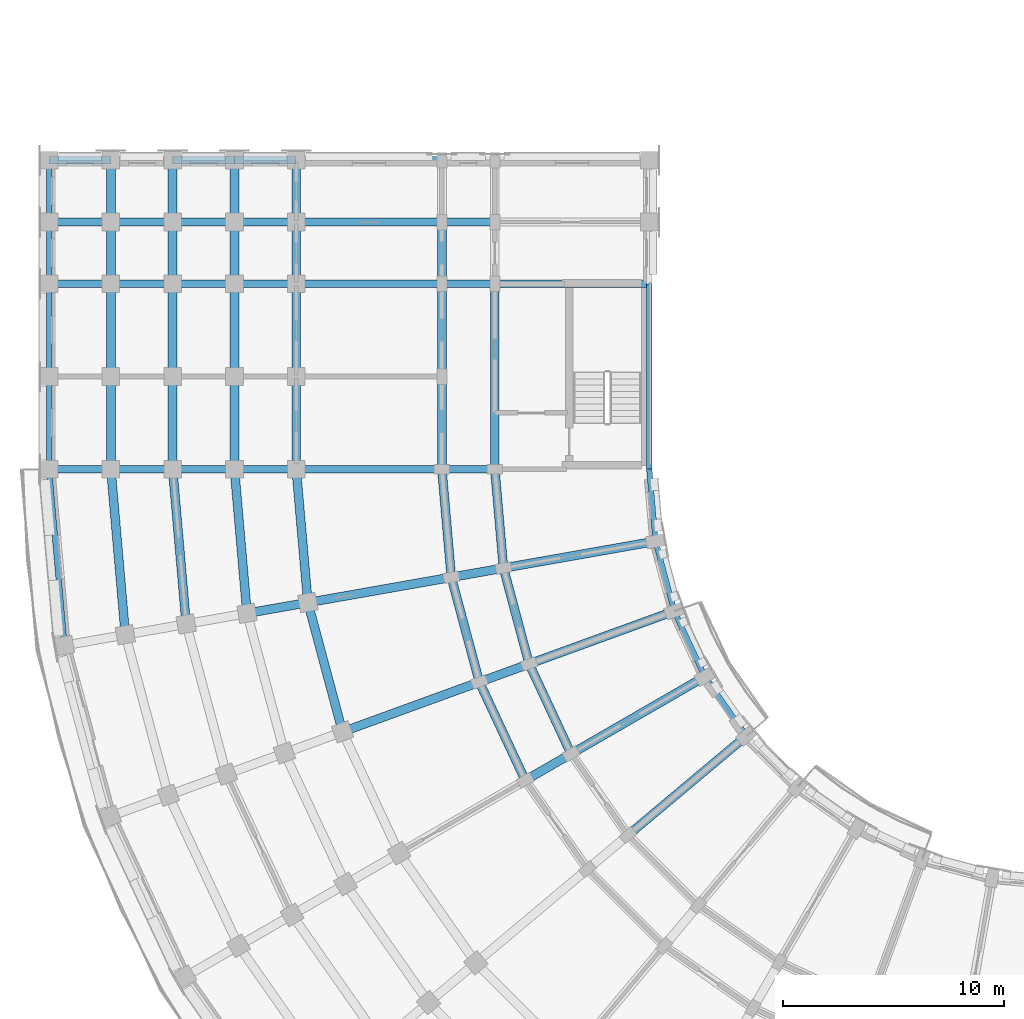
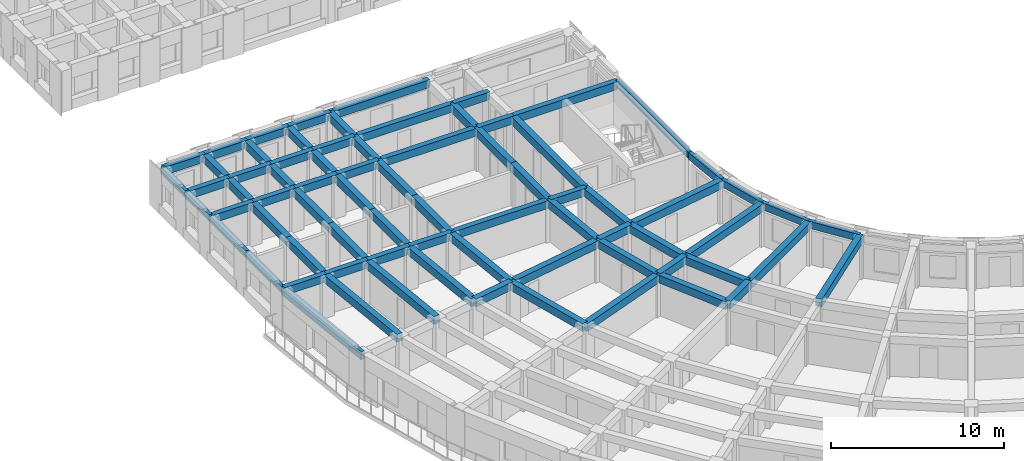
# One storey, part 5 of 54: 75 beams.
"""IFC4 building model written with IfcOpenShell, lengths in metres."""

import ifcopenshell
import ifcopenshell.guid

model = None  # the IFC model being written
_history = None  # IfcOwnerHistory: only IFC2X3 demands one
_inside = {}  # id of a spatial element -> (the spatial element, [elements in it])
_under = {}  # id of a project, library or spatial element -> (it, [spatial elements below it])
_declared = {}  # id of a project -> (the project, [libraries it declares])
_typed = {}  # id of a type object -> (the type object, [elements of that type])
_made_of = {}  # id of a material, layer set ... -> (it, [elements and type objects made of it])


def new_model(schema):
    """Start an empty IFC model of exactly this schema.

    Asked for "IFC4X3", IfcOpenShell would pick the latest addendum, in which some entities
    have other attributes; the version numbers below select the first issue.
    IFC2X3 requires an IfcOwnerHistory on every rooted entity: one is made here for all.
    """
    global model, _history
    if schema == "IFC4X3":
        model = ifcopenshell.file(schema_version=(4, 3, 0, 0))
    else:
        model = ifcopenshell.file(schema=schema)
    _inside.clear()
    _under.clear()
    _declared.clear()
    _typed.clear()
    _made_of.clear()
    _history = None
    if model.schema == "IFC2X3":
        org = make("IfcOrganization", Name="unknown")
        user = make(
            "IfcPersonAndOrganization",
            ThePerson=make("IfcPerson", FamilyName="unknown"),
            TheOrganization=org,
        )
        app = make(
            "IfcApplication",
            ApplicationDeveloper=org,
            Version="unknown",
            ApplicationFullName="unknown",
            ApplicationIdentifier="unknown",
        )
        _history = make(
            "IfcOwnerHistory",
            OwningUser=user,
            OwningApplication=app,
            ChangeAction="ADDED",
            CreationDate=0,
        )
    return model


def make(cls, **values):
    """One entity of the class cls with the attributes given. An attribute that is None is left unset."""
    return model.create_entity(
        cls, **{name: value for name, value in values.items() if value is not None}
    )


def rooted(cls, **values):
    """An entity with a GlobalId (a new one), such as an element, a storey or a relation."""
    return make(cls, GlobalId=ifcopenshell.guid.new(), OwnerHistory=_history, **values)


def si_unit(unit_type, name, prefix=None):
    """IfcSIUnit, for example si_unit("LENGTHUNIT", "METRE", prefix="MILLI")."""
    return make("IfcSIUnit", UnitType=unit_type, Prefix=prefix, Name=name)


def assignment(units):
    """IfcUnitAssignment: the units of a project."""
    return None if units is None else make("IfcUnitAssignment", Units=units)


def point(xyz):
    """IfcCartesianPoint."""
    return None if xyz is None else make("IfcCartesianPoint", Coordinates=xyz)


def direction(xyz):
    """IfcDirection."""
    return None if xyz is None else make("IfcDirection", DirectionRatios=xyz)


def frame(location, z_axis=None, x_axis=None):
    """IfcAxis2Placement3D, a coordinate frame: its origin and axes. An axis left out is left unset."""
    return make(
        "IfcAxis2Placement3D",
        Location=point(location),
        Axis=direction(z_axis),
        RefDirection=direction(x_axis),
    )


def frame_2d(location, x_axis=None):
    """IfcAxis2Placement2D, a coordinate frame in the plane: its origin and x axis."""
    return make(
        "IfcAxis2Placement2D", Location=point(location), RefDirection=direction(x_axis)
    )


def origin():
    """The frame at (0, 0, 0) with its axes left unset."""
    return frame((0.0, 0.0, 0.0))


def origin_2d():
    """The frame at (0, 0) in the plane with its x axis left unset."""
    return frame_2d((0.0, 0.0))


def place(relative_to, where):
    """IfcLocalPlacement: puts the frame where relative to a parent placement (None: the world)."""
    return make(
        "IfcLocalPlacement", PlacementRelTo=relative_to, RelativePlacement=where
    )


def context(
    kind, dimensions, precision=None, world=None, true_north=None, identifier=None
):
    """IfcGeometricRepresentationContext, for example the 3D "Model" context."""
    return make(
        "IfcGeometricRepresentationContext",
        ContextIdentifier=identifier,
        ContextType=kind,
        CoordinateSpaceDimension=dimensions,
        Precision=precision,
        WorldCoordinateSystem=world,
        TrueNorth=true_north,
    )


def subcontext(parent, identifier, kind, view, scale=None):
    """IfcGeometricRepresentationSubContext, for example "Body" below "Model"."""
    return make(
        "IfcGeometricRepresentationSubContext",
        ContextIdentifier=identifier,
        ContextType=kind,
        ParentContext=parent,
        TargetScale=scale,
        TargetView=view,
    )


def project(units=None, contexts=None):
    """IfcProject with its units and contexts."""
    return rooted(
        "IfcProject",
        Name="project",
        RepresentationContexts=contexts,
        UnitsInContext=assignment(units),
    )


def spatial(cls, under=None, at=None, **own):
    """A site, building, storey or space (cls), placed at a placement, below another one or the project."""
    s = rooted(cls, ObjectPlacement=at, **own)
    if under is not None:
        _under.setdefault(under.id(), (under, []))[1].append(s)
    return s


def profile(cls, at=None, kind="AREA", **sizes):
    """A parametric profile (cls). Its sizes go by their IFC names, for example OverallWidth=200.0."""
    return make(cls, ProfileType=kind, Position=at, **sizes)


def rectangle(**sizes):
    """IfcRectangleProfileDef."""
    return profile("IfcRectangleProfileDef", **sizes)


def extrude(swept, where, along, depth):
    """IfcExtrudedAreaSolid: the profile swept, set in the frame where, extruded along a direction by depth."""
    return make(
        "IfcExtrudedAreaSolid",
        SweptArea=swept,
        Position=where,
        ExtrudedDirection=direction(along),
        Depth=depth,
    )


def shape(context_of_items, identifier, shape_type, items):
    """IfcShapeRepresentation: the items that make up one representation, for example the "Body"."""
    return make(
        "IfcShapeRepresentation",
        ContextOfItems=context_of_items,
        RepresentationIdentifier=identifier,
        RepresentationType=shape_type,
        Items=items,
    )


def material(Name=None, Category=None):
    """IfcMaterial."""
    return make("IfcMaterial", Name=Name, Category=Category)


def material_profile(
    of_material, cross_section, Name=None, Category=None, Priority=None
):
    """IfcMaterialProfile: a cross section and its material."""
    return make(
        "IfcMaterialProfile",
        Name=Name,
        Material=of_material,
        Profile=cross_section,
        Priority=Priority,
        Category=Category,
    )


def profile_set(profiles, Name=None, composite=None):
    """IfcMaterialProfileSet."""
    return make(
        "IfcMaterialProfileSet",
        Name=Name,
        MaterialProfiles=profiles,
        CompositeProfile=composite,
    )


def made_of(thing, what):
    """Note that an element or type object is made of a material, layer set ...; save() writes the relation."""
    if what is not None:
        _made_of.setdefault(what.id(), (what, []))[1].append(thing)
    return thing


def type_object(cls, material=None, **own):
    """A type object (cls), such as IfcWallType, which elements share."""
    return made_of(rooted(cls, **own), material)


def element(
    cls,
    number,
    at=None,
    inside=None,
    cuts=None,
    type_object=None,
    material=None,
    context=None,
    identifier="Body",
    shape_type=None,
    held_by="IfcProductDefinitionShape",
    body=None,
    shapes=None,
    **own,
):
    """One element of the class cls, such as IfcWall. Its Tag is "e" and its number.

    at: its placement. inside: the storey or other place that contains it. cuts: it is an
    opening in that element (IfcRelVoidsElement). A single representation is given by context,
    identifier, shape_type and body (its items); several are given by shapes. held_by: the class
    of the entity that holds the representations. save() writes the other relations.
    """
    e = rooted(cls, Tag="e%d" % number, ObjectPlacement=at, **own)
    if body is not None:
        shapes = [shape(context, identifier, shape_type, body)]
    if shapes is not None:
        e.Representation = make(held_by, Representations=shapes)
    if inside is not None:
        _inside.setdefault(inside.id(), (inside, []))[1].append(e)
    if cuts is not None:
        rooted(
            "IfcRelVoidsElement", RelatingBuildingElement=cuts, RelatedOpeningElement=e
        )
    if type_object is not None:
        _typed.setdefault(type_object.id(), (type_object, []))[1].append(e)
    return made_of(e, material)


def aggregate(whole, parts):
    """IfcRelAggregates: a whole, such as a stair, and the parts it consists of."""
    return rooted("IfcRelAggregates", RelatingObject=whole, RelatedObjects=parts)


def save(model, path):
    """Write the relations noted so far, then the file.

    IfcRelAggregates (storeys below a building ...), IfcRelContainedInSpatialStructure (elements
    in a storey), IfcRelDefinesByType, IfcRelAssociatesMaterial and IfcRelDeclares: one each for
    every whole, place, type object, material and project.
    """
    for whole, parts in _under.values():
        aggregate(whole, parts)
    for where, things in _inside.values():
        rooted(
            "IfcRelContainedInSpatialStructure",
            RelatedElements=things,
            RelatingStructure=where,
        )
    for kind, things in _typed.values():
        rooted("IfcRelDefinesByType", RelatedObjects=things, RelatingType=kind)
    for what, things in _made_of.values():
        rooted("IfcRelAssociatesMaterial", RelatedObjects=things, RelatingMaterial=what)
    for by, libraries in _declared.values():
        rooted("IfcRelDeclares", RelatingContext=by, RelatedDefinitions=libraries)
    model.write(path)


model = new_model("IFC4")

# Units and contexts
model_context = context("Model", 3, precision=1e-05, world=origin(), true_north=direction((0.0, 1.0)))
body_context = subcontext(model_context, "Body", "Model", "MODEL_VIEW")
ifc_project = project(units=[si_unit("LENGTHUNIT", "METRE"), si_unit("AREAUNIT", "SQUARE_METRE"), si_unit("VOLUMEUNIT", "CUBIC_METRE"), si_unit("PLANEANGLEUNIT", "RADIAN"), si_unit("MASSUNIT", "GRAM", prefix="KILO")], contexts=[model_context])

# Site, building, storey
site_placement = place(None, origin())
site = spatial("IfcSite", under=ifc_project, at=site_placement, CompositionType="ELEMENT")
building_placement = place(site_placement, origin())
building = spatial("IfcBuilding", under=site, at=building_placement, Name="Kiranvali Square Residences", CompositionType="ELEMENT")
storey_placement = place(building_placement, frame((0.0, 0.0, 11.85009765625)))
storey = spatial("IfcBuildingStorey", under=building, at=storey_placement, Name="L03", CompositionType="ELEMENT", Elevation=11.85009765625)

# Beams
ifc_material_1 = material(Name="Concrete M40 (40 MPa)", Category="concrete")
ifc_material_profile_1 = material_profile(ifc_material_1, rectangle(XDim=0.35009765625, YDim=0.550048828125, at=origin_2d()), Name="RC 350x550")
ifc_profile_set_1 = profile_set([ifc_material_profile_1], Name="Concrete M40 (40 MPa)")
beam_type_1 = type_object("IfcBeamType", Name="BM-M40-350x550", PredefinedType="BEAM", material=ifc_profile_set_1)
beam_1_placement = place(storey_placement, frame((22.39990234375, 48.199951171875, 2.65478515625), z_axis=(-1.0, 0.0, 0.0), x_axis=(0.0, -1.0, 0.0)))
element("IfcBeam", 1, at=beam_1_placement, inside=storey, type_object=beam_type_1, Name="L03 beam BM-C-L03-A2T0-12", PredefinedType="BEAM", context=body_context, shape_type="SweptSolid", body=[
    extrude(rectangle(XDim=0.35009765625, YDim=0.550048828125, at=origin_2d()), origin(), (0.0, 0.0, 1.0), 2.39990234375),
])
beam_2_placement = place(storey_placement, frame((20.0, 48.199951171875, 2.65478515625), z_axis=(-1.0, 0.0, 0.0), x_axis=(0.0, -1.0, 0.0)))
element("IfcBeam", 2, at=beam_2_placement, inside=storey, type_object=beam_type_1, Name="L03 beam BM-C-L03-A2T0-23", PredefinedType="BEAM", context=body_context, shape_type="SweptSolid", body=[
    extrude(rectangle(XDim=0.35009765625, YDim=0.550048828125, at=origin_2d()), origin(), (0.0, 0.0, 1.0), 6.60009765625),
])
beam_3_placement = place(storey_placement, frame((13.39990234375, 48.199951171875, 2.65478515625), z_axis=(-1.0, 0.0, 0.0), x_axis=(0.0, -1.0, 0.0)))
element("IfcBeam", 3, at=beam_3_placement, inside=storey, type_object=beam_type_1, Name="L03 beam BM-C-L03-A2T0-34", PredefinedType="BEAM", context=body_context, shape_type="SweptSolid", body=[
    extrude(rectangle(XDim=0.35009765625, YDim=0.550048828125, at=origin_2d()), origin(), (0.0, 0.0, 1.0), 2.7998046875),
])
for number, where, z_axis, x_axis, name in (
    (4, (10.60009765625, 48.199951171875, 2.65478515625), (-1.0, 0.0, 0.0), (0.0, -1.0, 0.0), "L03 beam BM-C-L03-A2T0-45"),
    (5, (7.800048828125, 48.199951171875, 2.65478515625), (-1.0, 0.0, 0.0), (0.0, -1.0, 0.0), "L03 beam BM-C-L03-A2T0-56"),
    (6, (5.0, 48.199951171875, 2.65478515625), (-1.0, 0.0, 0.0), (0.0, -1.0, 0.0), "L03 beam BM-C-L03-A2T0-67"),
):
    element("IfcBeam", number, at=place(storey_placement, frame(where, z_axis=z_axis, x_axis=x_axis)), inside=storey, type_object=beam_type_1, Name=name, PredefinedType="BEAM", context=body_context, shape_type="SweptSolid", body=[
        extrude(rectangle(XDim=0.35009765625, YDim=0.550048828125, at=origin_2d()), origin(), (0.0, 0.0, 1.0), 2.800048828125),
    ])
beam_4_placement = place(storey_placement, frame((29.39990234375, 56.60009765625, 2.65478515625), z_axis=(-1.0, 0.0, 0.0), x_axis=(0.0, -1.0, 0.0)))
element("IfcBeam", 7, at=beam_4_placement, inside=storey, type_object=beam_type_1, Name="L03 beam BM-C-L03-A2T1-01", PredefinedType="BEAM", context=body_context, shape_type="SweptSolid", body=[
    extrude(rectangle(XDim=0.35009765625, YDim=0.550048828125, at=origin_2d()), origin(), (0.0, 0.0, 1.0), 7.0),
])
beam_5_placement = place(storey_placement, frame((22.39990234375, 56.60009765625, 2.65478515625), z_axis=(-1.0, 0.0, 0.0), x_axis=(0.0, -1.0, 0.0)))
element("IfcBeam", 8, at=beam_5_placement, inside=storey, type_object=beam_type_1, Name="L03 beam BM-C-L03-A2T1-12", PredefinedType="BEAM", context=body_context, shape_type="SweptSolid", body=[
    extrude(rectangle(XDim=0.35009765625, YDim=0.550048828125, at=origin_2d()), origin(), (0.0, 0.0, 1.0), 2.39990234375),
])
beam_6_placement = place(storey_placement, frame((20.0, 56.60009765625, 2.65478515625), z_axis=(-1.0, 0.0, 0.0), x_axis=(0.0, -1.0, 0.0)))
element("IfcBeam", 9, at=beam_6_placement, inside=storey, type_object=beam_type_1, Name="L03 beam BM-C-L03-A2T1-23", PredefinedType="BEAM", context=body_context, shape_type="SweptSolid", body=[
    extrude(rectangle(XDim=0.35009765625, YDim=0.550048828125, at=origin_2d()), origin(), (0.0, 0.0, 1.0), 6.60009765625),
])
beam_7_placement = place(storey_placement, frame((13.39990234375, 56.60009765625, 2.65478515625), z_axis=(-1.0, 0.0, 0.0), x_axis=(0.0, -1.0, 0.0)))
element("IfcBeam", 10, at=beam_7_placement, inside=storey, type_object=beam_type_1, Name="L03 beam BM-C-L03-A2T1-34", PredefinedType="BEAM", context=body_context, shape_type="SweptSolid", body=[
    extrude(rectangle(XDim=0.35009765625, YDim=0.550048828125, at=origin_2d()), origin(), (0.0, 0.0, 1.0), 2.7998046875),
])
for number, where, z_axis, x_axis, name in (
    (11, (10.60009765625, 56.60009765625, 2.65478515625), (-1.0, 0.0, 0.0), (0.0, -1.0, 0.0), "L03 beam BM-C-L03-A2T1-45"),
    (12, (7.800048828125, 56.60009765625, 2.65478515625), (-1.0, 0.0, 0.0), (0.0, -1.0, 0.0), "L03 beam BM-C-L03-A2T1-56"),
    (13, (5.0, 56.60009765625, 2.65478515625), (-1.0, 0.0, 0.0), (0.0, -1.0, 0.0), "L03 beam BM-C-L03-A2T1-67"),
):
    element("IfcBeam", number, at=place(storey_placement, frame(where, z_axis=z_axis, x_axis=x_axis)), inside=storey, type_object=beam_type_1, Name=name, PredefinedType="BEAM", context=body_context, shape_type="SweptSolid", body=[
        extrude(rectangle(XDim=0.35009765625, YDim=0.550048828125, at=origin_2d()), origin(), (0.0, 0.0, 1.0), 2.800048828125),
    ])
beam_8_placement = place(storey_placement, frame((22.39990234375, 59.39990234375, 2.65478515625), z_axis=(-1.0, 0.0, 0.0), x_axis=(0.0, -1.0, 0.0)))
element("IfcBeam", 14, at=beam_8_placement, inside=storey, type_object=beam_type_1, Name="L03 beam BM-C-L03-A2T2-12", PredefinedType="BEAM", context=body_context, shape_type="SweptSolid", body=[
    extrude(rectangle(XDim=0.35009765625, YDim=0.550048828125, at=origin_2d()), origin(), (0.0, 0.0, 1.0), 2.39990234375),
])
beam_9_placement = place(storey_placement, frame((20.0, 59.39990234375, 2.65478515625), z_axis=(-1.0, 0.0, 0.0), x_axis=(0.0, -1.0, 0.0)))
element("IfcBeam", 15, at=beam_9_placement, inside=storey, type_object=beam_type_1, Name="L03 beam BM-C-L03-A2T2-23", PredefinedType="BEAM", context=body_context, shape_type="SweptSolid", body=[
    extrude(rectangle(XDim=0.35009765625, YDim=0.550048828125, at=origin_2d()), origin(), (0.0, 0.0, 1.0), 6.60009765625),
])
beam_10_placement = place(storey_placement, frame((13.39990234375, 59.39990234375, 2.65478515625), z_axis=(-1.0, 0.0, 0.0), x_axis=(0.0, -1.0, 0.0)))
element("IfcBeam", 16, at=beam_10_placement, inside=storey, type_object=beam_type_1, Name="L03 beam BM-C-L03-A2T2-34", PredefinedType="BEAM", context=body_context, shape_type="SweptSolid", body=[
    extrude(rectangle(XDim=0.35009765625, YDim=0.550048828125, at=origin_2d()), origin(), (0.0, 0.0, 1.0), 2.7998046875),
])
for number, where, z_axis, x_axis, name in (
    (17, (10.60009765625, 59.39990234375, 2.65478515625), (-1.0, 0.0, 0.0), (0.0, -1.0, 0.0), "L03 beam BM-C-L03-A2T2-45"),
    (18, (7.800048828125, 59.39990234375, 2.65478515625), (-1.0, 0.0, 0.0), (0.0, -1.0, 0.0), "L03 beam BM-C-L03-A2T2-56"),
    (19, (5.0, 59.39990234375, 2.65478515625), (-1.0, 0.0, 0.0), (0.0, -1.0, 0.0), "L03 beam BM-C-L03-A2T2-67"),
):
    element("IfcBeam", number, at=place(storey_placement, frame(where, z_axis=z_axis, x_axis=x_axis)), inside=storey, type_object=beam_type_1, Name=name, PredefinedType="BEAM", context=body_context, shape_type="SweptSolid", body=[
        extrude(rectangle(XDim=0.35009765625, YDim=0.550048828125, at=origin_2d()), origin(), (0.0, 0.0, 1.0), 2.800048828125),
    ])
beam_11_placement = place(storey_placement, frame((20.0, 62.199951171875, 2.65478515625), z_axis=(-1.0, 0.0, 0.0), x_axis=(0.0, -1.0, 0.0)))
element("IfcBeam", 20, at=beam_11_placement, inside=storey, type_object=beam_type_1, Name="L03 beam BM-C-L03-A2T3-23", PredefinedType="BEAM", context=body_context, shape_type="SweptSolid", body=[
    extrude(rectangle(XDim=0.35009765625, YDim=0.550048828125, at=origin_2d()), origin(), (0.0, 0.0, 1.0), 6.60009765625),
])
beam_12_placement = place(storey_placement, frame((13.39990234375, 62.199951171875, 2.65478515625), z_axis=(-1.0, 0.0, 0.0), x_axis=(0.0, -1.0, 0.0)))
element("IfcBeam", 21, at=beam_12_placement, inside=storey, type_object=beam_type_1, Name="L03 beam BM-C-L03-A2T3-34", PredefinedType="BEAM", context=body_context, shape_type="SweptSolid", body=[
    extrude(rectangle(XDim=0.35009765625, YDim=0.550048828125, at=origin_2d()), origin(), (0.0, 0.0, 1.0), 2.7998046875),
])
for number, where, z_axis, x_axis, name in (
    (22, (10.60009765625, 62.199951171875, 2.65478515625), (-1.0, 0.0, 0.0), (0.0, -1.0, 0.0), "L03 beam BM-C-L03-A2T3-45"),
    (23, (7.800048828125, 62.199951171875, 2.65478515625), (-1.0, 0.0, 0.0), (0.0, -1.0, 0.0), "L03 beam BM-C-L03-A2T3-56"),
    (24, (5.0, 62.199951171875, 2.65478515625), (-1.0, 0.0, 0.0), (0.0, -1.0, 0.0), "L03 beam BM-C-L03-A2T3-67"),
):
    element("IfcBeam", number, at=place(storey_placement, frame(where, z_axis=z_axis, x_axis=x_axis)), inside=storey, type_object=beam_type_1, Name=name, PredefinedType="BEAM", context=body_context, shape_type="SweptSolid", body=[
        extrude(rectangle(XDim=0.35009765625, YDim=0.550048828125, at=origin_2d()), origin(), (0.0, 0.0, 1.0), 2.800048828125),
    ])
ifc_material_2 = material(Name="Concrete M45 (45 MPa)", Category="concrete")
ifc_material_profile_2 = material_profile(ifc_material_2, rectangle(XDim=0.39990234375, YDim=0.550048828125, at=origin_2d()), Name="RC 400x550")
ifc_profile_set_2 = profile_set([ifc_material_profile_2], Name="Concrete M45 (45 MPa)")
beam_type_2 = type_object("IfcBeamType", Name="BM-M45-400x550", PredefinedType="BEAM", material=ifc_profile_set_2)
beam_13_placement = place(storey_placement, frame((25.8564453125, 35.300048828125, 2.65478515625), z_axis=(-0.422617978463, 0.906307919131, 0.0), x_axis=(-0.906307919131, -0.422617978463, 0.0)))
element("IfcBeam", 25, at=beam_13_placement, inside=storey, type_object=beam_type_2, Name="L03 beam BM-C-L03-C06-R1", PredefinedType="BEAM", context=body_context, shape_type="SweptSolid", body=[
    extrude(rectangle(XDim=0.39990234375, YDim=0.550048828125, at=origin_2d()), origin(), (0.0, 0.0, 1.0), 4.497314453125),
])
beam_14_placement = place(storey_placement, frame((23.778076171875, 34.10009765625, 2.65478515625), z_axis=(-0.422629854778, 0.906302381024, 0.0), x_axis=(-0.906302381024, -0.422629854778, 0.0)))
element("IfcBeam", 26, at=beam_14_placement, inside=storey, type_object=beam_type_2, Name="L03 beam BM-C-L03-C06-R2", PredefinedType="BEAM", context=body_context, shape_type="SweptSolid", body=[
    extrude(rectangle(XDim=0.39990234375, YDim=0.550048828125, at=origin_2d()), origin(), (0.0, 0.0, 1.0), 4.915283203125),
])
beam_15_placement = place(storey_placement, frame((23.955810546875, 39.3759765625, 2.65478515625), z_axis=(-0.258787642463, 0.965934240054, 0.0), x_axis=(-0.965934240054, -0.258787642463, 0.0)))
element("IfcBeam", 27, at=beam_15_placement, inside=storey, type_object=beam_type_2, Name="L03 beam BM-C-L03-C07-R1", PredefinedType="BEAM", context=body_context, shape_type="SweptSolid", body=[
    extrude(rectangle(XDim=0.39990234375, YDim=0.550048828125, at=origin_2d()), origin(), (0.0, 0.0, 1.0), 4.497314453125),
])
beam_16_placement = place(storey_placement, frame((21.70068359375, 38.554931640625, 2.65478515625), z_axis=(-0.258803112091, 0.965930095386, 0.0), x_axis=(-0.965930095386, -0.258803112091, 0.0)))
element("IfcBeam", 28, at=beam_16_placement, inside=storey, type_object=beam_type_2, Name="L03 beam BM-C-L03-C07-R2", PredefinedType="BEAM", context=body_context, shape_type="SweptSolid", body=[
    extrude(rectangle(XDim=0.39990234375, YDim=0.550048828125, at=origin_2d()), origin(), (0.0, 0.0, 1.0), 4.915771484375),
])
beam_17_placement = place(storey_placement, frame((15.498779296875, 36.297607421875, 2.65478515625), z_axis=(-0.258827283048, 0.965923618901, 0.0), x_axis=(-0.965923618901, -0.258827283048, 0.0)))
element("IfcBeam", 29, at=beam_17_placement, inside=storey, type_object=beam_type_2, Name="L03 beam BM-C-L03-C07-R3", PredefinedType="BEAM", context=body_context, shape_type="SweptSolid", body=[
    extrude(rectangle(XDim=0.39990234375, YDim=0.550048828125, at=origin_2d()), origin(), (0.0, 0.0, 1.0), 6.066162109375),
])
beam_18_placement = place(storey_placement, frame((22.7919921875, 43.719970703125, 2.65478515625), z_axis=(-0.087187153726, 0.996191949488, 0.0), x_axis=(-0.996191949488, -0.087187153726, 0.0)))
element("IfcBeam", 30, at=beam_18_placement, inside=storey, type_object=beam_type_2, Name="L03 beam BM-C-L03-C08-R1", PredefinedType="BEAM", context=body_context, shape_type="SweptSolid", body=[
    extrude(rectangle(XDim=0.39990234375, YDim=0.550048828125, at=origin_2d()), origin(), (0.0, 0.0, 1.0), 4.4970703125),
])
beam_19_placement = place(storey_placement, frame((20.428466796875, 43.30322265625, 2.65478515625), z_axis=(-0.087167566415, 0.996193663584, 0.0), x_axis=(-0.996193663584, -0.087167566415, 0.0)))
element("IfcBeam", 31, at=beam_19_placement, inside=storey, type_object=beam_type_2, Name="L03 beam BM-C-L03-C08-R2", PredefinedType="BEAM", context=body_context, shape_type="SweptSolid", body=[
    extrude(rectangle(XDim=0.39990234375, YDim=0.550048828125, at=origin_2d()), origin(), (0.0, 0.0, 1.0), 4.91552734375),
])
beam_20_placement = place(storey_placement, frame((13.9287109375, 42.156982421875, 2.65478515625), z_axis=(-0.087174938512, 0.996193018494, 0.0), x_axis=(-0.996193018494, -0.087174938512, 0.0)))
element("IfcBeam", 32, at=beam_20_placement, inside=storey, type_object=beam_type_2, Name="L03 beam BM-C-L03-C08-R3", PredefinedType="BEAM", context=body_context, shape_type="SweptSolid", body=[
    extrude(rectangle(XDim=0.39990234375, YDim=0.550048828125, at=origin_2d()), origin(), (0.0, 0.0, 1.0), 6.066162109375),
])
beam_21_placement = place(storey_placement, frame((11.171142578125, 41.6708984375, 2.65478515625), z_axis=(-0.0871295204, 0.996196991902, 0.0), x_axis=(-0.996196991902, -0.0871295204, 0.0)))
element("IfcBeam", 33, at=beam_21_placement, inside=storey, type_object=beam_type_2, Name="L03 beam BM-C-L03-C08-R4", PredefinedType="BEAM", context=body_context, shape_type="SweptSolid", body=[
    extrude(rectangle(XDim=0.39990234375, YDim=0.550048828125, at=origin_2d()), origin(), (0.0, 0.0, 1.0), 6.553955078125),
])
beam_22_placement = place(storey_placement, frame((8.413818359375, 41.1845703125, 2.65478515625), z_axis=(-0.087156198737, 0.996194658198, 0.0), x_axis=(-0.996194658198, -0.087156198737, 0.0)))
element("IfcBeam", 34, at=beam_22_placement, inside=storey, type_object=beam_type_2, Name="L03 beam BM-C-L03-C08-R5", PredefinedType="BEAM", context=body_context, shape_type="SweptSolid", body=[
    extrude(rectangle(XDim=0.39990234375, YDim=0.550048828125, at=origin_2d()), origin(), (0.0, 0.0, 1.0), 7.042236328125),
])
beam_23_placement = place(storey_placement, frame((5.65625, 40.698486328125, 2.65478515625), z_axis=(-0.087150058103, 0.996195195417, 0.0), x_axis=(-0.996195195417, -0.087150058103, 0.0)))
element("IfcBeam", 35, at=beam_23_placement, inside=storey, type_object=beam_type_2, Name="L03 beam BM-C-L03-C08-R6", PredefinedType="BEAM", context=body_context, shape_type="SweptSolid", body=[
    extrude(rectangle(XDim=0.39990234375, YDim=0.550048828125, at=origin_2d()), origin(), (0.0, 0.0, 1.0), 7.530029296875),
])
for number, where, z_axis, x_axis, name in (
    (36, (33.79833984375, 36.115478515625, 2.65478515625), (-0.766044173478, -0.642787931032, 0.0), (0.642787931032, -0.766044173478, 0.0), "L03 beam BM-C-L03-RAD05-01"),
    (37, (31.918701171875, 38.800048828125, 2.65478515625), (-0.866028190633, -0.499995173006, 0.0), (0.499995173006, -0.866028190633, 0.0), "L03 beam BM-C-L03-RAD06-01"),
):
    element("IfcBeam", number, at=place(storey_placement, frame(where, z_axis=z_axis, x_axis=x_axis)), inside=storey, type_object=beam_type_2, Name=name, PredefinedType="BEAM", context=body_context, shape_type="SweptSolid", body=[
        extrude(rectangle(XDim=0.39990234375, YDim=0.550048828125, at=origin_2d()), origin(), (0.0, 0.0, 1.0), 7.0),
    ])
beam_24_placement = place(storey_placement, frame((25.8564453125, 35.300048828125, 2.65478515625), z_axis=(-0.866024647952, -0.500001309137, 0.0), x_axis=(0.500001309137, -0.866024647952, 0.0)))
element("IfcBeam", 38, at=beam_24_placement, inside=storey, type_object=beam_type_2, Name="L03 beam BM-C-L03-RAD06-12", PredefinedType="BEAM", context=body_context, shape_type="SweptSolid", body=[
    extrude(rectangle(XDim=0.39990234375, YDim=0.550048828125, at=origin_2d()), origin(), (0.0, 0.0, 1.0), 2.39990234375),
])
beam_25_placement = place(storey_placement, frame((30.53369140625, 41.77001953125, 2.65478515625), z_axis=(-0.939697665127, -0.342006283793, 0.0), x_axis=(0.342006283793, -0.939697665127, 0.0)))
element("IfcBeam", 39, at=beam_25_placement, inside=storey, type_object=beam_type_2, Name="L03 beam BM-C-L03-RAD07-01", PredefinedType="BEAM", context=body_context, shape_type="SweptSolid", body=[
    extrude(rectangle(XDim=0.39990234375, YDim=0.550048828125, at=origin_2d()), origin(), (0.0, 0.0, 1.0), 7.0),
])
beam_26_placement = place(storey_placement, frame((23.955810546875, 39.3759765625, 2.65478515625), z_axis=(-0.939659694648, -0.342110593602, 0.0), x_axis=(0.342110593602, -0.939659694648, 0.0)))
element("IfcBeam", 40, at=beam_26_placement, inside=storey, type_object=beam_type_2, Name="L03 beam BM-C-L03-RAD07-12", PredefinedType="BEAM", context=body_context, shape_type="SweptSolid", body=[
    extrude(rectangle(XDim=0.39990234375, YDim=0.550048828125, at=origin_2d()), origin(), (0.0, 0.0, 1.0), 2.39990234375),
])
beam_27_placement = place(storey_placement, frame((21.70068359375, 38.554931640625, 2.65478515625), z_axis=(-0.939691858249, -0.342022238372, 0.0), x_axis=(0.342022238372, -0.939691858249, 0.0)))
element("IfcBeam", 41, at=beam_27_placement, inside=storey, type_object=beam_type_2, Name="L03 beam BM-C-L03-RAD07-23", PredefinedType="BEAM", context=body_context, shape_type="SweptSolid", body=[
    extrude(rectangle(XDim=0.39990234375, YDim=0.550048828125, at=origin_2d()), origin(), (0.0, 0.0, 1.0), 6.599853515625),
])
beam_28_placement = place(storey_placement, frame((29.685546875, 44.935302734375, 2.65478515625), z_axis=(-0.984812337125, -0.173622177865, 0.0), x_axis=(0.173622177865, -0.984812337125, 0.0)))
element("IfcBeam", 42, at=beam_28_placement, inside=storey, type_object=beam_type_2, Name="L03 beam BM-C-L03-RAD08-01", PredefinedType="BEAM", context=body_context, shape_type="SweptSolid", body=[
    extrude(rectangle(XDim=0.39990234375, YDim=0.550048828125, at=origin_2d()), origin(), (0.0, 0.0, 1.0), 6.999755859375),
])
beam_29_placement = place(storey_placement, frame((22.7919921875, 43.719970703125, 2.65478515625), z_axis=(-0.984808127031, -0.173646056486, 0.0), x_axis=(0.173646056486, -0.984808127031, 0.0)))
element("IfcBeam", 43, at=beam_29_placement, inside=storey, type_object=beam_type_2, Name="L03 beam BM-C-L03-RAD08-12", PredefinedType="BEAM", context=body_context, shape_type="SweptSolid", body=[
    extrude(rectangle(XDim=0.39990234375, YDim=0.550048828125, at=origin_2d()), origin(), (0.0, 0.0, 1.0), 2.39990234375),
])
beam_30_placement = place(storey_placement, frame((20.428466796875, 43.30322265625, 2.65478515625), z_axis=(-0.984803661269, -0.173671381499, 0.0), x_axis=(0.173671381499, -0.984803661269, 0.0)))
element("IfcBeam", 44, at=beam_30_placement, inside=storey, type_object=beam_type_2, Name="L03 beam BM-C-L03-RAD08-23", PredefinedType="BEAM", context=body_context, shape_type="SweptSolid", body=[
    extrude(rectangle(XDim=0.39990234375, YDim=0.550048828125, at=origin_2d()), origin(), (0.0, 0.0, 1.0), 6.60009765625),
])
beam_31_placement = place(storey_placement, frame((13.9287109375, 42.156982421875, 2.65478515625), z_axis=(-0.984816895441, -0.173596320392, 0.0), x_axis=(0.173596320392, -0.984816895441, 0.0)))
element("IfcBeam", 45, at=beam_31_placement, inside=storey, type_object=beam_type_2, Name="L03 beam BM-C-L03-RAD08-34", PredefinedType="BEAM", context=body_context, shape_type="SweptSolid", body=[
    extrude(rectangle(XDim=0.39990234375, YDim=0.550048828125, at=origin_2d()), origin(), (0.0, 0.0, 1.0), 2.800048828125),
])
beam_32_placement = place(storey_placement, frame((22.39990234375, 48.199951171875, 2.65478515625), z_axis=(0.0, 1.0, 0.0), x_axis=(-1.0, 0.0, 0.0)))
element("IfcBeam", 46, at=beam_32_placement, inside=storey, type_object=beam_type_2, Name="L03 beam BM-C-L03-A2V0-R1", PredefinedType="BEAM", context=body_context, shape_type="SweptSolid", body=[
    extrude(rectangle(XDim=0.39990234375, YDim=0.550048828125, at=origin_2d()), origin(), (0.0, 0.0, 1.0), 8.400146484375),
])
beam_33_placement = place(storey_placement, frame((20.0, 48.199951171875, 2.65478515625), z_axis=(0.0, 1.0, 0.0), x_axis=(-1.0, 0.0, 0.0)))
element("IfcBeam", 47, at=beam_33_placement, inside=storey, type_object=beam_type_2, Name="L03 beam BM-C-L03-A2V0-R2", PredefinedType="BEAM", context=body_context, shape_type="SweptSolid", body=[
    extrude(rectangle(XDim=0.39990234375, YDim=0.550048828125, at=origin_2d()), origin(), (0.0, 0.0, 1.0), 4.199951171875),
])
beam_34_placement = place(storey_placement, frame((20.0, 52.39990234375, 2.65478515625), z_axis=(0.0, 1.0, 0.0), x_axis=(-1.0, 0.0, 0.0)))
element("IfcBeam", 48, at=beam_34_placement, inside=storey, type_object=beam_type_2, Name="L03 beam BM-C-L03-A2V1-R2", PredefinedType="BEAM", context=body_context, shape_type="SweptSolid", body=[
    extrude(rectangle(XDim=0.39990234375, YDim=0.550048828125, at=origin_2d()), origin(), (0.0, 0.0, 1.0), 4.2001953125),
])
beam_35_placement = place(storey_placement, frame((20.0, 56.60009765625, 2.65478515625), z_axis=(0.0, 1.0, 0.0), x_axis=(-1.0, 0.0, 0.0)))
element("IfcBeam", 49, at=beam_35_placement, inside=storey, type_object=beam_type_2, Name="L03 beam BM-C-L03-A2V2-R2", PredefinedType="BEAM", context=body_context, shape_type="SweptSolid", body=[
    extrude(rectangle(XDim=0.39990234375, YDim=0.550048828125, at=origin_2d()), origin(), (0.0, 0.0, 1.0), 2.7998046875),
])
beam_36_placement = place(storey_placement, frame((13.39990234375, 48.199951171875, 2.65478515625), z_axis=(0.0, 1.0, 0.0), x_axis=(-1.0, 0.0, 0.0)))
element("IfcBeam", 50, at=beam_36_placement, inside=storey, type_object=beam_type_2, Name="L03 beam BM-C-L03-A2V0-R3", PredefinedType="BEAM", context=body_context, shape_type="SweptSolid", body=[
    extrude(rectangle(XDim=0.39990234375, YDim=0.550048828125, at=origin_2d()), origin(), (0.0, 0.0, 1.0), 4.199951171875),
])
beam_37_placement = place(storey_placement, frame((13.39990234375, 52.39990234375, 2.65478515625), z_axis=(0.0, 1.0, 0.0), x_axis=(-1.0, 0.0, 0.0)))
element("IfcBeam", 51, at=beam_37_placement, inside=storey, type_object=beam_type_2, Name="L03 beam BM-C-L03-A2V1-R3", PredefinedType="BEAM", context=body_context, shape_type="SweptSolid", body=[
    extrude(rectangle(XDim=0.39990234375, YDim=0.550048828125, at=origin_2d()), origin(), (0.0, 0.0, 1.0), 4.2001953125),
])
beam_38_placement = place(storey_placement, frame((13.39990234375, 56.60009765625, 2.65478515625), z_axis=(0.0, 1.0, 0.0), x_axis=(-1.0, 0.0, 0.0)))
element("IfcBeam", 52, at=beam_38_placement, inside=storey, type_object=beam_type_2, Name="L03 beam BM-C-L03-A2V2-R3", PredefinedType="BEAM", context=body_context, shape_type="SweptSolid", body=[
    extrude(rectangle(XDim=0.39990234375, YDim=0.550048828125, at=origin_2d()), origin(), (0.0, 0.0, 1.0), 2.7998046875),
])
beam_39_placement = place(storey_placement, frame((13.39990234375, 59.39990234375, 2.65478515625), z_axis=(0.0, 1.0, 0.0), x_axis=(-1.0, 0.0, 0.0)))
element("IfcBeam", 53, at=beam_39_placement, inside=storey, type_object=beam_type_2, Name="L03 beam BM-C-L03-A2V3-R3", PredefinedType="BEAM", context=body_context, shape_type="SweptSolid", body=[
    extrude(rectangle(XDim=0.39990234375, YDim=0.550048828125, at=origin_2d()), origin(), (0.0, 0.0, 1.0), 2.800048828125),
])
beam_40_placement = place(storey_placement, frame((10.60009765625, 48.199951171875, 2.65478515625), z_axis=(0.0, 1.0, 0.0), x_axis=(-1.0, 0.0, 0.0)))
element("IfcBeam", 54, at=beam_40_placement, inside=storey, type_object=beam_type_2, Name="L03 beam BM-C-L03-A2V0-R4", PredefinedType="BEAM", context=body_context, shape_type="SweptSolid", body=[
    extrude(rectangle(XDim=0.39990234375, YDim=0.550048828125, at=origin_2d()), origin(), (0.0, 0.0, 1.0), 4.199951171875),
])
beam_41_placement = place(storey_placement, frame((10.60009765625, 52.39990234375, 2.65478515625), z_axis=(0.0, 1.0, 0.0), x_axis=(-1.0, 0.0, 0.0)))
element("IfcBeam", 55, at=beam_41_placement, inside=storey, type_object=beam_type_2, Name="L03 beam BM-C-L03-A2V1-R4", PredefinedType="BEAM", context=body_context, shape_type="SweptSolid", body=[
    extrude(rectangle(XDim=0.39990234375, YDim=0.550048828125, at=origin_2d()), origin(), (0.0, 0.0, 1.0), 4.2001953125),
])
beam_42_placement = place(storey_placement, frame((10.60009765625, 56.60009765625, 2.65478515625), z_axis=(0.0, 1.0, 0.0), x_axis=(-1.0, 0.0, 0.0)))
element("IfcBeam", 56, at=beam_42_placement, inside=storey, type_object=beam_type_2, Name="L03 beam BM-C-L03-A2V2-R4", PredefinedType="BEAM", context=body_context, shape_type="SweptSolid", body=[
    extrude(rectangle(XDim=0.39990234375, YDim=0.550048828125, at=origin_2d()), origin(), (0.0, 0.0, 1.0), 2.7998046875),
])
beam_43_placement = place(storey_placement, frame((10.60009765625, 59.39990234375, 2.65478515625), z_axis=(0.0, 1.0, 0.0), x_axis=(-1.0, 0.0, 0.0)))
element("IfcBeam", 57, at=beam_43_placement, inside=storey, type_object=beam_type_2, Name="L03 beam BM-C-L03-A2V3-R4", PredefinedType="BEAM", context=body_context, shape_type="SweptSolid", body=[
    extrude(rectangle(XDim=0.39990234375, YDim=0.550048828125, at=origin_2d()), origin(), (0.0, 0.0, 1.0), 2.800048828125),
])
beam_44_placement = place(storey_placement, frame((7.800048828125, 48.199951171875, 2.65478515625), z_axis=(0.0, 1.0, 0.0), x_axis=(-1.0, 0.0, 0.0)))
element("IfcBeam", 58, at=beam_44_placement, inside=storey, type_object=beam_type_2, Name="L03 beam BM-C-L03-A2V0-R5", PredefinedType="BEAM", context=body_context, shape_type="SweptSolid", body=[
    extrude(rectangle(XDim=0.39990234375, YDim=0.550048828125, at=origin_2d()), origin(), (0.0, 0.0, 1.0), 4.199951171875),
])
beam_45_placement = place(storey_placement, frame((7.800048828125, 52.39990234375, 2.65478515625), z_axis=(0.0, 1.0, 0.0), x_axis=(-1.0, 0.0, 0.0)))
element("IfcBeam", 59, at=beam_45_placement, inside=storey, type_object=beam_type_2, Name="L03 beam BM-C-L03-A2V1-R5", PredefinedType="BEAM", context=body_context, shape_type="SweptSolid", body=[
    extrude(rectangle(XDim=0.39990234375, YDim=0.550048828125, at=origin_2d()), origin(), (0.0, 0.0, 1.0), 4.2001953125),
])
beam_46_placement = place(storey_placement, frame((7.800048828125, 56.60009765625, 2.65478515625), z_axis=(0.0, 1.0, 0.0), x_axis=(-1.0, 0.0, 0.0)))
element("IfcBeam", 60, at=beam_46_placement, inside=storey, type_object=beam_type_2, Name="L03 beam BM-C-L03-A2V2-R5", PredefinedType="BEAM", context=body_context, shape_type="SweptSolid", body=[
    extrude(rectangle(XDim=0.39990234375, YDim=0.550048828125, at=origin_2d()), origin(), (0.0, 0.0, 1.0), 2.7998046875),
])
beam_47_placement = place(storey_placement, frame((7.800048828125, 59.39990234375, 2.65478515625), z_axis=(0.0, 1.0, 0.0), x_axis=(-1.0, 0.0, 0.0)))
element("IfcBeam", 61, at=beam_47_placement, inside=storey, type_object=beam_type_2, Name="L03 beam BM-C-L03-A2V3-R5", PredefinedType="BEAM", context=body_context, shape_type="SweptSolid", body=[
    extrude(rectangle(XDim=0.39990234375, YDim=0.550048828125, at=origin_2d()), origin(), (0.0, 0.0, 1.0), 2.800048828125),
])
beam_48_placement = place(storey_placement, frame((5.0, 48.199951171875, 2.65478515625), z_axis=(0.0, 1.0, 0.0), x_axis=(-1.0, 0.0, 0.0)))
element("IfcBeam", 62, at=beam_48_placement, inside=storey, type_object=beam_type_2, Name="L03 beam BM-C-L03-A2V0-R6", PredefinedType="BEAM", context=body_context, shape_type="SweptSolid", body=[
    extrude(rectangle(XDim=0.39990234375, YDim=0.550048828125, at=origin_2d()), origin(), (0.0, 0.0, 1.0), 4.199951171875),
])
beam_49_placement = place(storey_placement, frame((5.0, 52.39990234375, 2.65478515625), z_axis=(0.0, 1.0, 0.0), x_axis=(-1.0, 0.0, 0.0)))
element("IfcBeam", 63, at=beam_49_placement, inside=storey, type_object=beam_type_2, Name="L03 beam BM-C-L03-A2V1-R6", PredefinedType="BEAM", context=body_context, shape_type="SweptSolid", body=[
    extrude(rectangle(XDim=0.39990234375, YDim=0.550048828125, at=origin_2d()), origin(), (0.0, 0.0, 1.0), 4.2001953125),
])
beam_50_placement = place(storey_placement, frame((5.0, 56.60009765625, 2.65478515625), z_axis=(0.0, 1.0, 0.0), x_axis=(-1.0, 0.0, 0.0)))
element("IfcBeam", 64, at=beam_50_placement, inside=storey, type_object=beam_type_2, Name="L03 beam BM-C-L03-A2V2-R6", PredefinedType="BEAM", context=body_context, shape_type="SweptSolid", body=[
    extrude(rectangle(XDim=0.39990234375, YDim=0.550048828125, at=origin_2d()), origin(), (0.0, 0.0, 1.0), 2.7998046875),
])
beam_51_placement = place(storey_placement, frame((5.0, 59.39990234375, 2.65478515625), z_axis=(0.0, 1.0, 0.0), x_axis=(-1.0, 0.0, 0.0)))
element("IfcBeam", 65, at=beam_51_placement, inside=storey, type_object=beam_type_2, Name="L03 beam BM-C-L03-A2V3-R6", PredefinedType="BEAM", context=body_context, shape_type="SweptSolid", body=[
    extrude(rectangle(XDim=0.39990234375, YDim=0.550048828125, at=origin_2d()), origin(), (0.0, 0.0, 1.0), 2.800048828125),
])
ifc_material_profile_3 = material_profile(ifc_material_1, rectangle(XDim=0.25, YDim=0.449951171875, at=origin_2d()), Name="RC 250x450")
ifc_profile_set_3 = profile_set([ifc_material_profile_3], Name="Concrete M40 (40 MPa)")
beam_type_3 = type_object("IfcBeamType", Name="SPN-M40-250x450", PredefinedType="SPANDREL", material=ifc_profile_set_3)
beam_52_placement = place(storey_placement, frame((29.39990234375, 48.199951171875, 2.704833984375), z_axis=(0.0, 1.0, 0.0), x_axis=(-1.0, 0.0, 0.0)))
element("IfcBeam", 66, at=beam_52_placement, inside=storey, type_object=beam_type_3, Name="L03 beam BM-C-L03-A2V0-R0", PredefinedType="SPANDREL", context=body_context, shape_type="SweptSolid", body=[
    extrude(rectangle(XDim=0.25, YDim=0.449951171875, at=origin_2d()), origin(), (0.0, 0.0, 1.0), 8.400146484375),
])
beam_53_placement = place(storey_placement, frame((2.199951171875, 48.199951171875, 2.704833984375), z_axis=(0.0, 1.0, 0.0), x_axis=(-1.0, 0.0, 0.0)))
element("IfcBeam", 67, at=beam_53_placement, inside=storey, type_object=beam_type_3, Name="L03 beam BM-C-L03-A2V0-R7", PredefinedType="SPANDREL", context=body_context, shape_type="SweptSolid", body=[
    extrude(rectangle(XDim=0.25, YDim=0.449951171875, at=origin_2d()), origin(), (0.0, 0.0, 1.0), 4.199951171875),
])
beam_54_placement = place(storey_placement, frame((2.199951171875, 52.39990234375, 2.704833984375), z_axis=(0.0, 1.0, 0.0), x_axis=(-1.0, 0.0, 0.0)))
element("IfcBeam", 68, at=beam_54_placement, inside=storey, type_object=beam_type_3, Name="L03 beam BM-C-L03-A2V1-R7", PredefinedType="SPANDREL", context=body_context, shape_type="SweptSolid", body=[
    extrude(rectangle(XDim=0.25, YDim=0.449951171875, at=origin_2d()), origin(), (0.0, 0.0, 1.0), 4.2001953125),
])
beam_55_placement = place(storey_placement, frame((2.199951171875, 56.60009765625, 2.704833984375), z_axis=(0.0, 1.0, 0.0), x_axis=(-1.0, 0.0, 0.0)))
element("IfcBeam", 69, at=beam_55_placement, inside=storey, type_object=beam_type_3, Name="L03 beam BM-C-L03-A2V2-R7", PredefinedType="SPANDREL", context=body_context, shape_type="SweptSolid", body=[
    extrude(rectangle(XDim=0.25, YDim=0.449951171875, at=origin_2d()), origin(), (0.0, 0.0, 1.0), 2.7998046875),
])
beam_56_placement = place(storey_placement, frame((2.199951171875, 59.39990234375, 2.704833984375), z_axis=(0.0, 1.0, 0.0), x_axis=(-1.0, 0.0, 0.0)))
element("IfcBeam", 70, at=beam_56_placement, inside=storey, type_object=beam_type_3, Name="L03 beam BM-C-L03-A2V3-R7", PredefinedType="SPANDREL", context=body_context, shape_type="SweptSolid", body=[
    extrude(rectangle(XDim=0.25, YDim=0.449951171875, at=origin_2d()), origin(), (0.0, 0.0, 1.0), 2.800048828125),
])
ifc_material_profile_4 = material_profile(ifc_material_1, rectangle(XDim=0.25, YDim=0.5, at=origin_2d()), Name="RC 250x500")
ifc_profile_set_4 = profile_set([ifc_material_profile_4], Name="Concrete M40 (40 MPa)")
beam_type_4 = type_object("IfcBeamType", Name="SPN-M40-250x500", PredefinedType="SPANDREL", material=ifc_profile_set_4)
for number, where, z_axis, x_axis, name in (
    (71, (33.79833984375, 36.115478515625, 2.679931640625), (-0.573552337269, 0.81916891812, 0.0), (-0.81916891812, -0.573552337269, 0.0), "L03 beam BM-C-L03-C05-R0"),
    (72, (31.918701171875, 38.800048828125, 2.679931640625), (-0.422640740585, 0.90629730464, 0.0), (-0.90629730464, -0.422640740585, 0.0), "L03 beam BM-C-L03-C06-R0"),
):
    element("IfcBeam", number, at=place(storey_placement, frame(where, z_axis=z_axis, x_axis=x_axis)), inside=storey, type_object=beam_type_4, Name=name, PredefinedType="SPANDREL", context=body_context, shape_type="SweptSolid", body=[
        extrude(rectangle(XDim=0.25, YDim=0.5, at=origin_2d()), origin(), (0.0, 0.0, 1.0), 3.277099609375),
    ])
beam_57_placement = place(storey_placement, frame((30.53369140625, 41.77001953125, 2.679931640625), z_axis=(-0.258821736607, 0.965925105099, 0.0), x_axis=(-0.965925105099, -0.258821736607, 0.0)))
element("IfcBeam", 73, at=beam_57_placement, inside=storey, type_object=beam_type_4, Name="L03 beam BM-C-L03-C07-R0", PredefinedType="SPANDREL", context=body_context, shape_type="SweptSolid", body=[
    extrude(rectangle(XDim=0.25, YDim=0.5, at=origin_2d()), origin(), (0.0, 0.0, 1.0), 3.27685546875),
])
beam_58_placement = place(storey_placement, frame((29.685546875, 44.935302734375, 2.679931640625), z_axis=(-0.087163253657, 0.996194040944, 0.0), x_axis=(-0.996194040944, -0.087163253657, 0.0)))
element("IfcBeam", 74, at=beam_58_placement, inside=storey, type_object=beam_type_4, Name="L03 beam BM-C-L03-C08-R0", PredefinedType="SPANDREL", context=body_context, shape_type="SweptSolid", body=[
    extrude(rectangle(XDim=0.25, YDim=0.5, at=origin_2d()), origin(), (0.0, 0.0, 1.0), 3.277099609375),
])
ifc_material_profile_5 = material_profile(ifc_material_1, rectangle(XDim=0.25, YDim=0.550048828125, at=origin_2d()), Name="RC 250x550")
ifc_profile_set_5 = profile_set([ifc_material_profile_5], Name="Concrete M40 (40 MPa)")
beam_type_5 = type_object("IfcBeamType", Name="SPN-M40-250x550", PredefinedType="SPANDREL", material=ifc_profile_set_5)
beam_59_placement = place(storey_placement, frame((2.89892578125, 40.212158203125, 2.65478515625), z_axis=(-0.087172238171, 0.996193254792, 0.0), x_axis=(-0.996193254792, -0.087172238171, 0.0)))
element("IfcBeam", 75, at=beam_59_placement, inside=storey, type_object=beam_type_5, Name="L03 beam BM-C-L03-C08-R7", PredefinedType="SPANDREL", context=body_context, shape_type="SweptSolid", body=[
    extrude(rectangle(XDim=0.25, YDim=0.550048828125, at=origin_2d()), origin(), (0.0, 0.0, 1.0), 8.018310546875),
])

save(model, "model.ifc")
